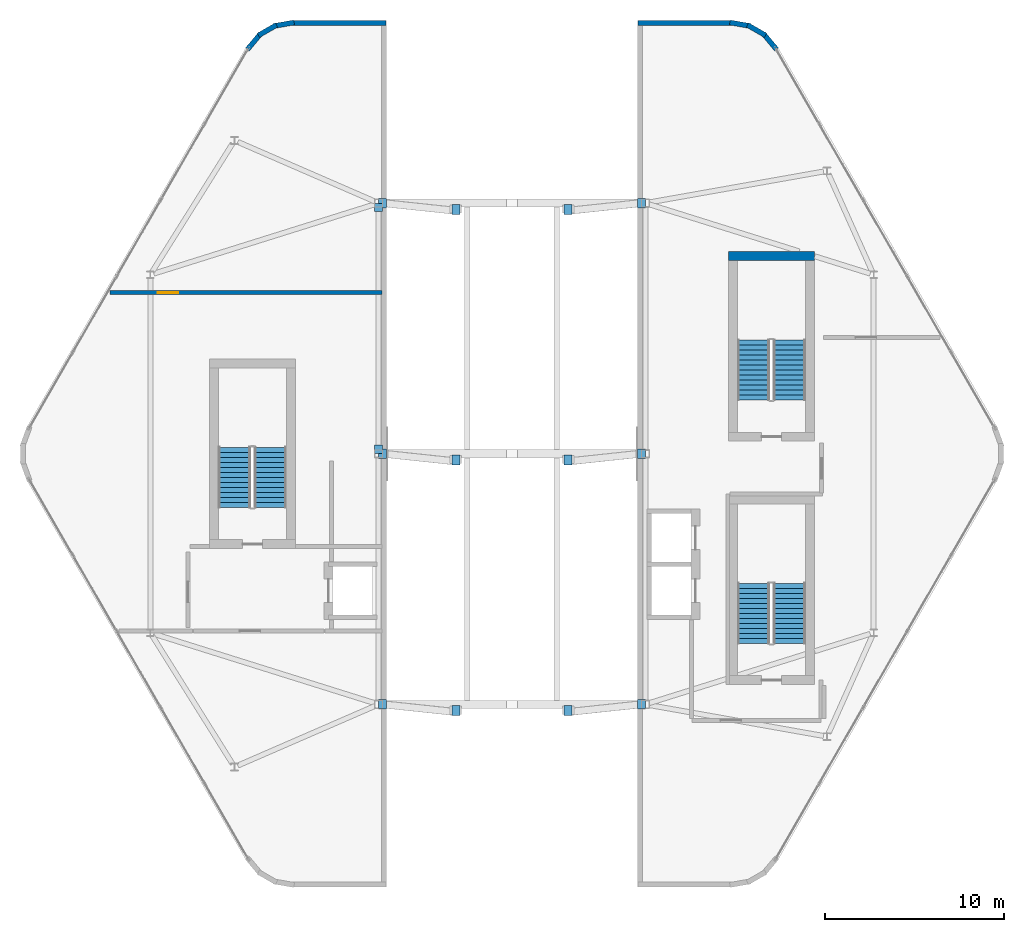
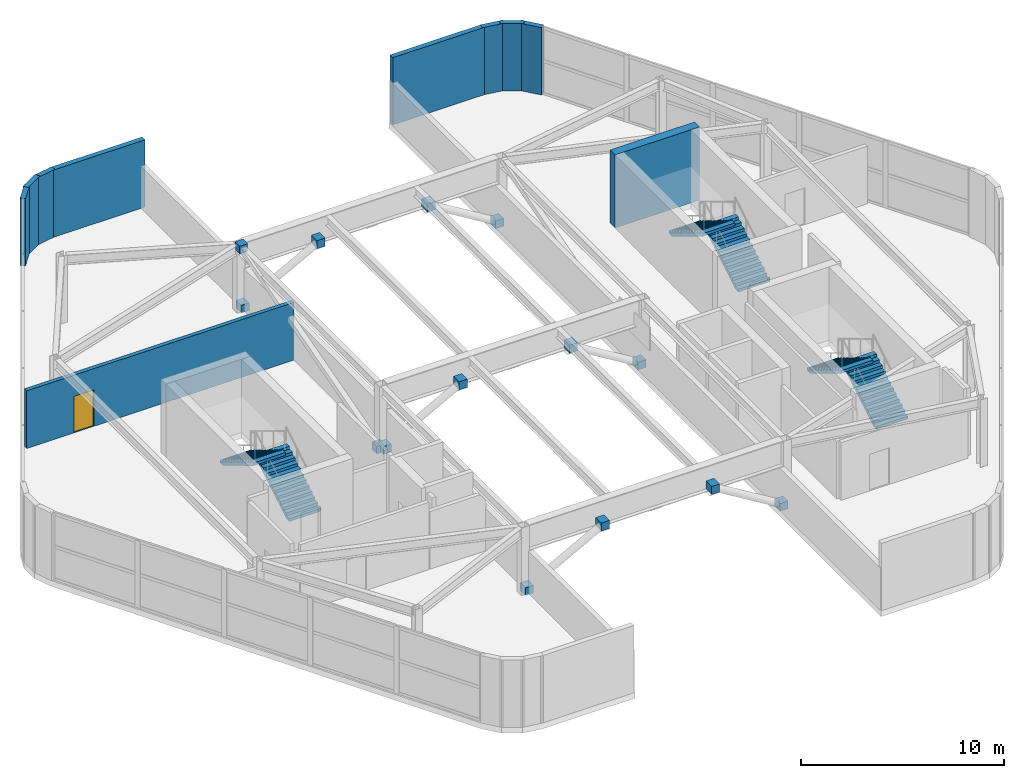
# One storey, part 15 of 16: 14 discrete accessories, 10 walls, 6 stair flights, 1 door, 1 opening, 3 elements without a shape of their own.
"""IFC4 building model written with IfcOpenShell, lengths in metres."""

from ifc_helpers import new_model, si_unit, direction, frame, frame_2d, origin, origin_2d, place, context, subcontext, project, spatial, polyline, rectangle, outline, extrude, material, layer, layer_set, type_object, element, fill, aggregate, save


model = new_model("IFC4")

# Units and contexts
model_context = context("Model", 3, precision=1e-05, world=origin(), true_north=direction((0.0, 1.0)))
body_context = subcontext(model_context, "Body", "Model", "MODEL_VIEW")
ifc_project = project(units=[si_unit("LENGTHUNIT", "METRE"), si_unit("AREAUNIT", "SQUARE_METRE"), si_unit("VOLUMEUNIT", "CUBIC_METRE"), si_unit("PLANEANGLEUNIT", "RADIAN"), si_unit("MASSUNIT", "GRAM", prefix="KILO")], contexts=[model_context])

# Site, building, storey
site_placement = place(None, origin())
site = spatial("IfcSite", under=ifc_project, at=site_placement, CompositionType="ELEMENT")
building_placement = place(site_placement, origin())
building = spatial("IfcBuilding", under=site, at=building_placement, Name="Zuhravey Tower", CompositionType="ELEMENT")
storey_placement = place(building_placement, frame((0.0, 0.0, 374.60009765625)))
storey = spatial("IfcBuildingStorey", under=building, at=storey_placement, Name="L95", CompositionType="ELEMENT", Elevation=374.60009765625)

# Walls
ifc_material_1 = material(Name="Concrete C50/60", Category="concrete")
ifc_layer_1 = layer(ifc_material_1, 0.5)
ifc_layer_set_1 = layer_set([ifc_layer_1], Name="Concrete C50/60")
wall_type_1 = type_object("IfcWallType", Name="Core Shear Wall 500", PredefinedType="SHEAR", material=ifc_layer_set_1)
wall_1_placement = place(storey_placement, frame((52.89990234375, 43.050048828125, 0.0), z_axis=(0.0, 0.0, 1.0), x_axis=(-1.0, 0.0, 0.0)))
element("IfcWall", 1, at=wall_1_placement, inside=storey, type_object=wall_type_1, Name="L95 CST3 North Shaft Wall", PredefinedType="SHEAR", context=body_context, shape_type="SweptSolid", body=[
    extrude(rectangle(XDim=4.7998046875, YDim=0.5, at=frame_2d((2.39990234375, 0.0))), origin(), (0.0, 0.0, 1.0), 4.39990234375),
])
ifc_material_2 = material(Name="Precast concrete C40/50", Category="concrete")
ifc_layer_2 = layer(ifc_material_2, 0.280029296875)
ifc_layer_set_2 = layer_set([ifc_layer_2], Name="Precast concrete C40/50")
wall_type_2 = type_object("IfcWallType", Name="Crown Architectural Wall 280", PredefinedType="SOLIDWALL", material=ifc_layer_set_2)
wall_2_placement = place(storey_placement, frame((21.222412109375, 54.585693359375, 0.0), z_axis=(0.0, 0.0, 1.0), x_axis=(0.642851701012, 0.765990659542, 0.0)))
element("IfcWall", 2, at=wall_2_placement, inside=storey, type_object=wall_type_2, Name="L95 WEST Crest Wall EW28-09", PredefinedType="SOLIDWALL", context=body_context, shape_type="SweptSolid", body=[
    extrude(rectangle(XDim=1.177734375, YDim=0.280029296875, at=frame_2d((0.5888671875, 0.0))), origin(), (0.0, 0.0, 1.0), 4.0498046875),
])
wall_3_placement = place(storey_placement, frame((21.836181640625, 55.367431640625, 0.0), z_axis=(0.0, 0.0, 1.0), x_axis=(0.865951785477, 0.500127488975, 0.0)))
element("IfcWall", 3, at=wall_3_placement, inside=storey, type_object=wall_type_2, Name="L95 WEST Crest Wall EW28-10", PredefinedType="SOLIDWALL", context=body_context, shape_type="SweptSolid", body=[
    extrude(rectangle(XDim=1.165283203125, YDim=0.280029296875, at=frame_2d((0.58251953125, 0.0))), origin(), (0.0, 0.0, 1.0), 4.0498046875),
])
wall_4_placement = place(storey_placement, frame((22.669189453125, 55.885986328125, 0.0), z_axis=(0.0, 0.0, 1.0), x_axis=(0.984798162481, 0.173702559495, 0.0)))
element("IfcWall", 4, at=wall_4_placement, inside=storey, type_object=wall_type_2, Name="L95 WEST Crest Wall EW28-11", PredefinedType="SOLIDWALL", context=body_context, shape_type="SweptSolid", body=[
    extrude(rectangle(XDim=1.177734375, YDim=0.280029296875, at=frame_2d((0.5888671875, 0.0))), origin(), (0.0, 0.0, 1.0), 4.0498046875),
])
wall_5_placement = place(storey_placement, frame((23.640380859375, 56.07421875, 0.0), z_axis=(0.0, 0.0, 1.0), x_axis=(1.0, 0.0, 0.0)))
element("IfcWall", 5, at=wall_5_placement, inside=storey, type_object=wall_type_2, Name="L95 WEST Crest Wall EW28-12", PredefinedType="SOLIDWALL", context=body_context, shape_type="SweptSolid", body=[
    extrude(rectangle(XDim=5.314697265625, YDim=0.280029296875, at=frame_2d((2.6572265625, 0.0))), origin(), (0.0, 0.0, 1.0), 4.0498046875),
])
wall_6_placement = place(storey_placement, frame((48.1708984375, 56.090576171875, 0.0), z_axis=(0.0, 0.0, 1.0), x_axis=(0.984798162481, -0.173702559495, 0.0)))
element("IfcWall", 6, at=wall_6_placement, inside=storey, type_object=wall_type_2, Name="L95 EAST Crest Wall EW28-01", PredefinedType="SOLIDWALL", context=body_context, shape_type="SweptSolid", body=[
    extrude(rectangle(XDim=1.177734375, YDim=0.280029296875, at=frame_2d((0.5888671875, 0.0))), origin(), (0.0, 0.0, 1.0), 4.0498046875),
])
wall_7_placement = place(storey_placement, frame((49.15478515625, 55.9501953125, 0.0), z_axis=(0.0, 0.0, 1.0), x_axis=(0.865951785477, -0.500127488975, 0.0)))
element("IfcWall", 7, at=wall_7_placement, inside=storey, type_object=wall_type_2, Name="L95 EAST Crest Wall EW28-02", PredefinedType="SOLIDWALL", context=body_context, shape_type="SweptSolid", body=[
    extrude(rectangle(XDim=1.165283203125, YDim=0.280029296875, at=frame_2d((0.58251953125, 0.0))), origin(), (0.0, 0.0, 1.0), 4.0498046875),
])
wall_8_placement = place(storey_placement, frame((50.0205078125, 55.48779296875, 0.0), z_axis=(0.0, 0.0, 1.0), x_axis=(0.642851701012, -0.765990659542, 0.0)))
element("IfcWall", 8, at=wall_8_placement, inside=storey, type_object=wall_type_2, Name="L95 EAST Crest Wall EW28-03", PredefinedType="SOLIDWALL", context=body_context, shape_type="SweptSolid", body=[
    extrude(rectangle(XDim=1.177734375, YDim=0.280029296875, at=frame_2d((0.5888671875, 0.0))), origin(), (0.0, 0.0, 1.0), 4.0498046875),
])
wall_9_placement = place(storey_placement, frame((43.044921875, 56.07421875, 0.0), z_axis=(0.0, 0.0, 1.0), x_axis=(1.0, 0.0, 0.0)))
element("IfcWall", 9, at=wall_9_placement, inside=storey, type_object=wall_type_2, Name="L95 EAST Crest Wall EW28-14", PredefinedType="SOLIDWALL", context=body_context, shape_type="SweptSolid", body=[
    extrude(rectangle(XDim=5.314697265625, YDim=0.280029296875, at=frame_2d((2.6572265625, 0.0))), origin(), (0.0, 0.0, 1.0), 4.0498046875),
])

# Wall, opening, door
ifc_material_3 = material(Name="Gypsum acoustic stud assembly")
ifc_layer_3 = layer(ifc_material_3, 0.219970703125)
ifc_layer_set_3 = layer_set([ifc_layer_3], Name="Gypsum acoustic stud assembly")
wall_type_3 = type_object("IfcWallType", Name="School Acoustic Compartment Wall 220", PredefinedType="PARTITIONING", material=ifc_layer_set_3)
wall_10_placement = place(storey_placement, frame((13.536376953125, 41.0, 0.0), z_axis=(0.0, 0.0, 1.0), x_axis=(1.0, 0.0, 0.0)))
wall_10 = element("IfcWall", 10, at=wall_10_placement, inside=storey, type_object=wall_type_3, Name="L95 IW22 Partition 008", PredefinedType="PARTITIONING", context=body_context, shape_type="SweptSolid", body=[
    extrude(rectangle(XDim=15.20361328125, YDim=0.219970703125, at=frame_2d((7.601806640625, 0.0))), origin(), (0.0, 0.0, 1.0), 3.469970703125),
])
opening_placement = place(wall_10_placement, frame((2.68359375, 0.0, 0.0)))
opening = element("IfcOpeningElement", 11, at=opening_placement, cuts=wall_10, Name="Opening CLD1", PredefinedType="OPENING", context=body_context, shape_type="SweptSolid", body=[
    extrude(rectangle(XDim=1.14990234375, YDim=2.199951171875, at=frame_2d((0.574951171875, 1.10009765625))), frame((0.0, 0.1220703125, 0.0), z_axis=(0.0, -1.0, 0.0), x_axis=(1.0, 0.0, 0.0)), (0.0, 0.0, 1.0), 0.243896484375),
])
ifc_material_4 = material(Name="Acoustic timber leaf with vision lite", Category="wood")
door_type = type_object("IfcDoorType", Name="Classroom Acoustic Door 1150x2200", OperationType="NOTDEFINED", PredefinedType="DOOR", material=ifc_material_4)
door_placement = place(opening_placement, origin())
door = element("IfcDoor", 12, at=door_placement, inside=storey, type_object=door_type, Name="L95 North Damper Plant Door", OperationType="SINGLE_SWING_RIGHT", OverallHeight=2.199951171875, OverallWidth=1.14990234375, PredefinedType="DOOR", context=body_context, shape_type="SweptSolid", body=[
    extrude(rectangle(XDim=1.14990234375, YDim=2.199951171875, at=frame_2d((0.574951171875, 1.10009765625))), frame((0.0, 0.02490234375, 0.0), z_axis=(0.0, -1.0, 0.0), x_axis=(1.0, 0.0, 0.0)), (0.0, 0.0, 1.0), 0.050048828125),
])
fill(opening, door)

# Stair, stair flights
ifc_material_5 = material(Name="Concrete C40/50", Category="concrete")
stair_type = type_object("IfcStairType", Name="Crown Storey Stair Assembly 4400", PredefinedType="HALF_TURN_STAIR", material=ifc_material_5)
stair_1_placement = place(storey_placement, origin())
stair_1 = element("IfcStair", 13, at=stair_1_placement, inside=storey, type_object=stair_type, Name="L95 West Crest Stair CST1", PredefinedType="HALF_TURN_STAIR")
stair_flight_type = type_object("IfcStairFlightType", Name="Crown Storey Stair Flight 4400", PredefinedType="STRAIGHT", material=ifc_material_5)
stair_flight_1_placement = place(storey_placement, frame((22.5, 29.0, 0.0), z_axis=(0.0, 0.0, 1.0), x_axis=(0.0, 1.0, 0.0)))
stair_flight_1 = element("IfcStairFlight", 14, at=stair_flight_1_placement, type_object=stair_flight_type, Name="CST1 flight 1", NumberOfRisers=13, NumberOfTreads=12, PredefinedType="STRAIGHT", RiserHeight=0.169230769, TreadLength=0.28, context=body_context, shape_type="SweptSolid", body=[
    extrude(outline(polyline([(0.0, 0.0), (0.0, 0.169189453125), (0.280029296875, 0.169189453125), (0.280029296875, 0.33837890625), (0.56005859375, 0.33837890625), (0.56005859375, 0.5078125), (0.840087890625, 0.5078125), (0.840087890625, 0.677001953125), (1.1201171875, 0.677001953125), (1.1201171875, 0.84619140625), (1.39990234375, 0.84619140625), (1.39990234375, 1.015380859375), (1.679931640625, 1.015380859375), (1.679931640625, 1.1845703125), (1.9599609375, 1.1845703125), (1.9599609375, 1.353759765625), (2.239990234375, 1.353759765625), (2.239990234375, 1.523193359375), (2.52001953125, 1.523193359375), (2.52001953125, 1.6923828125), (2.800048828125, 1.6923828125), (2.800048828125, 1.861572265625), (3.080078125, 1.861572265625), (3.080078125, 2.03076171875), (3.360107421875, 2.03076171875), (3.360107421875, 2.199951171875), (3.360107421875, 1.855712890625), (0.289794921875, 0.0), (0.0, 0.0)])), frame((0.0, 0.89990234375, 0.0), z_axis=(0.0, -1.0, 0.0), x_axis=(1.0, 0.0, 0.0)), (0.0, 0.0, 1.0), 1.800048828125),
])
stair_flight_2_placement = place(storey_placement, frame((20.5, 32.360107421875, 2.199951171875), z_axis=(0.0, 0.0, 1.0), x_axis=(0.0, -1.0, 0.0)))
stair_flight_2 = element("IfcStairFlight", 15, at=stair_flight_2_placement, type_object=stair_flight_type, Name="CST1 flight 2", NumberOfRisers=13, NumberOfTreads=12, PredefinedType="STRAIGHT", RiserHeight=0.169230769, TreadLength=0.28, context=body_context, shape_type="SweptSolid", body=[
    extrude(outline(polyline([(0.0, 0.0), (0.0, 0.169189453125), (0.280029296875, 0.169189453125), (0.280029296875, 0.33837890625), (0.56005859375, 0.33837890625), (0.56005859375, 0.5078125), (0.840087890625, 0.5078125), (0.840087890625, 0.677001953125), (1.1201171875, 0.677001953125), (1.1201171875, 0.84619140625), (1.39990234375, 0.84619140625), (1.39990234375, 1.015380859375), (1.679931640625, 1.015380859375), (1.679931640625, 1.1845703125), (1.9599609375, 1.1845703125), (1.9599609375, 1.353759765625), (2.239990234375, 1.353759765625), (2.239990234375, 1.523193359375), (2.52001953125, 1.523193359375), (2.52001953125, 1.6923828125), (2.800048828125, 1.6923828125), (2.800048828125, 1.861572265625), (3.080078125, 1.861572265625), (3.080078125, 2.03076171875), (3.360107421875, 2.03076171875), (3.360107421875, 2.199951171875), (3.360107421875, 1.855712890625), (0.289794921875, 0.0), (0.0, 0.0)])), frame((0.0, 0.89990234375, 0.0), z_axis=(0.0, -1.0, 0.0), x_axis=(1.0, 0.0, 0.0)), (0.0, 0.0, 1.0), 1.800048828125),
])
aggregate(stair_1, [stair_flight_1, stair_flight_2])

stair_2_placement = place(storey_placement, origin())
stair_2 = element("IfcStair", 16, at=stair_2_placement, inside=storey, type_object=stair_type, Name="L95 East Crest South Stair CST2", PredefinedType="HALF_TURN_STAIR")
stair_flight_3_placement = place(storey_placement, frame((51.5, 21.39990234375, 0.0), z_axis=(0.0, 0.0, 1.0), x_axis=(0.0, 1.0, 0.0)))
stair_flight_3 = element("IfcStairFlight", 17, at=stair_flight_3_placement, type_object=stair_flight_type, Name="CST2 flight 1", NumberOfRisers=13, NumberOfTreads=12, PredefinedType="STRAIGHT", RiserHeight=0.169230769, TreadLength=0.28, context=body_context, shape_type="SweptSolid", body=[
    extrude(outline(polyline([(0.0, 0.0), (0.0, 0.169189453125), (0.280029296875, 0.169189453125), (0.280029296875, 0.33837890625), (0.56005859375, 0.33837890625), (0.56005859375, 0.5078125), (0.840087890625, 0.5078125), (0.840087890625, 0.677001953125), (1.1201171875, 0.677001953125), (1.1201171875, 0.84619140625), (1.39990234375, 0.84619140625), (1.39990234375, 1.015380859375), (1.679931640625, 1.015380859375), (1.679931640625, 1.1845703125), (1.9599609375, 1.1845703125), (1.9599609375, 1.353759765625), (2.239990234375, 1.353759765625), (2.239990234375, 1.523193359375), (2.52001953125, 1.523193359375), (2.52001953125, 1.6923828125), (2.800048828125, 1.6923828125), (2.800048828125, 1.861572265625), (3.080078125, 1.861572265625), (3.080078125, 2.03076171875), (3.360107421875, 2.03076171875), (3.360107421875, 2.199951171875), (3.360107421875, 1.855712890625), (0.289794921875, 0.0), (0.0, 0.0)])), frame((0.0, 0.89990234375, 0.0), z_axis=(0.0, -1.0, 0.0), x_axis=(1.0, 0.0, 0.0)), (0.0, 0.0, 1.0), 1.800048828125),
])
stair_flight_4_placement = place(storey_placement, frame((49.5, 24.760009765625, 2.199951171875), z_axis=(0.0, 0.0, 1.0), x_axis=(0.0, -1.0, 0.0)))
stair_flight_4 = element("IfcStairFlight", 18, at=stair_flight_4_placement, type_object=stair_flight_type, Name="CST2 flight 2", NumberOfRisers=13, NumberOfTreads=12, PredefinedType="STRAIGHT", RiserHeight=0.169230769, TreadLength=0.28, context=body_context, shape_type="SweptSolid", body=[
    extrude(outline(polyline([(0.0, 0.0), (0.0, 0.169189453125), (0.280029296875, 0.169189453125), (0.280029296875, 0.33837890625), (0.56005859375, 0.33837890625), (0.56005859375, 0.5078125), (0.840087890625, 0.5078125), (0.840087890625, 0.677001953125), (1.1201171875, 0.677001953125), (1.1201171875, 0.84619140625), (1.39990234375, 0.84619140625), (1.39990234375, 1.015380859375), (1.679931640625, 1.015380859375), (1.679931640625, 1.1845703125), (1.9599609375, 1.1845703125), (1.9599609375, 1.353759765625), (2.239990234375, 1.353759765625), (2.239990234375, 1.523193359375), (2.52001953125, 1.523193359375), (2.52001953125, 1.6923828125), (2.800048828125, 1.6923828125), (2.800048828125, 1.861572265625), (3.080078125, 1.861572265625), (3.080078125, 2.03076171875), (3.360107421875, 2.03076171875), (3.360107421875, 2.199951171875), (3.360107421875, 1.855712890625), (0.289794921875, 0.0), (0.0, 0.0)])), frame((0.0, 0.89990234375, 0.0), z_axis=(0.0, -1.0, 0.0), x_axis=(1.0, 0.0, 0.0)), (0.0, 0.0, 1.0), 1.800048828125),
])
aggregate(stair_2, [stair_flight_3, stair_flight_4])

stair_3_placement = place(storey_placement, origin())
stair_3 = element("IfcStair", 19, at=stair_3_placement, inside=storey, type_object=stair_type, Name="L95 East Crest North Stair CST3", PredefinedType="HALF_TURN_STAIR")
stair_flight_5_placement = place(storey_placement, frame((51.5, 35.0, 0.0), z_axis=(0.0, 0.0, 1.0), x_axis=(0.0, 1.0, 0.0)))
stair_flight_5 = element("IfcStairFlight", 20, at=stair_flight_5_placement, type_object=stair_flight_type, Name="CST3 flight 1", NumberOfRisers=13, NumberOfTreads=12, PredefinedType="STRAIGHT", RiserHeight=0.169230769, TreadLength=0.28, context=body_context, shape_type="SweptSolid", body=[
    extrude(outline(polyline([(0.0, 0.0), (0.0, 0.169189453125), (0.280029296875, 0.169189453125), (0.280029296875, 0.33837890625), (0.56005859375, 0.33837890625), (0.56005859375, 0.5078125), (0.840087890625, 0.5078125), (0.840087890625, 0.677001953125), (1.1201171875, 0.677001953125), (1.1201171875, 0.84619140625), (1.39990234375, 0.84619140625), (1.39990234375, 1.015380859375), (1.679931640625, 1.015380859375), (1.679931640625, 1.1845703125), (1.9599609375, 1.1845703125), (1.9599609375, 1.353759765625), (2.239990234375, 1.353759765625), (2.239990234375, 1.523193359375), (2.52001953125, 1.523193359375), (2.52001953125, 1.6923828125), (2.800048828125, 1.6923828125), (2.800048828125, 1.861572265625), (3.080078125, 1.861572265625), (3.080078125, 2.03076171875), (3.360107421875, 2.03076171875), (3.360107421875, 2.199951171875), (3.360107421875, 1.855712890625), (0.289794921875, 0.0), (0.0, 0.0)])), frame((0.0, 0.89990234375, 0.0), z_axis=(0.0, -1.0, 0.0), x_axis=(1.0, 0.0, 0.0)), (0.0, 0.0, 1.0), 1.800048828125),
])
stair_flight_6_placement = place(storey_placement, frame((49.5, 38.360107421875, 2.199951171875), z_axis=(0.0, 0.0, 1.0), x_axis=(0.0, -1.0, 0.0)))
stair_flight_6 = element("IfcStairFlight", 21, at=stair_flight_6_placement, type_object=stair_flight_type, Name="CST3 flight 2", NumberOfRisers=13, NumberOfTreads=12, PredefinedType="STRAIGHT", RiserHeight=0.169230769, TreadLength=0.28, context=body_context, shape_type="SweptSolid", body=[
    extrude(outline(polyline([(0.0, 0.0), (0.0, 0.169189453125), (0.280029296875, 0.169189453125), (0.280029296875, 0.33837890625), (0.56005859375, 0.33837890625), (0.56005859375, 0.5078125), (0.840087890625, 0.5078125), (0.840087890625, 0.677001953125), (1.1201171875, 0.677001953125), (1.1201171875, 0.84619140625), (1.39990234375, 0.84619140625), (1.39990234375, 1.015380859375), (1.679931640625, 1.015380859375), (1.679931640625, 1.1845703125), (1.9599609375, 1.1845703125), (1.9599609375, 1.353759765625), (2.239990234375, 1.353759765625), (2.239990234375, 1.523193359375), (2.52001953125, 1.523193359375), (2.52001953125, 1.6923828125), (2.800048828125, 1.6923828125), (2.800048828125, 1.861572265625), (3.080078125, 1.861572265625), (3.080078125, 2.03076171875), (3.360107421875, 2.03076171875), (3.360107421875, 2.199951171875), (3.360107421875, 1.855712890625), (0.289794921875, 0.0), (0.0, 0.0)])), frame((0.0, 0.89990234375, 0.0), z_axis=(0.0, -1.0, 0.0), x_axis=(1.0, 0.0, 0.0)), (0.0, 0.0, 1.0), 1.800048828125),
])
aggregate(stair_3, [stair_flight_5, stair_flight_6])

# Discrete accessories
ifc_material_6 = material(Name="Steel SM355", Category="steel")
discrete_accessory_type = type_object("IfcDiscreteAccessoryType", Name="Exoskeleton Support Bracket", PredefinedType="BRACKET", material=ifc_material_6)
for number, where, z_axis, x_axis, name in (
    (22, (28.550048828125, 32.249267578125, -0.12451171875), (0.0, 0.0, 1.0), (1.0, 0.0, 0.0), "L95 WCFS1 End Shoe BRK1-FT"),
    (23, (28.550048828125, 45.750732421875, 3.71435546875), (0.0, 0.0, 1.0), (1.0, 0.0, 0.0), "L95 WCFS1 End Shoe BRK1-HD"),
):
    element("IfcDiscreteAccessory", number, at=place(storey_placement, frame(where, z_axis=z_axis, x_axis=x_axis)), inside=storey, type_object=discrete_accessory_type, Name=name, PredefinedType="BRACKET", context=body_context, shape_type="SweptSolid", body=[
        extrude(rectangle(XDim=0.4599609375, YDim=0.4599609375, at=origin_2d()), origin(), (0.0, 0.0, 1.0), 0.4599609375),
    ])
discrete_accessory_1_placement = place(storey_placement, frame((28.763916015625, 17.999755859375, -0.049072265625), z_axis=(0.0, 0.0, 1.0), x_axis=(1.0, 0.0, 0.0)))
element("IfcDiscreteAccessory", 24, at=discrete_accessory_1_placement, inside=storey, type_object=discrete_accessory_type, Name="L95 Wind-Portal Arch Foot Shoe BRK1-1W", PredefinedType="BRACKET", context=body_context, shape_type="SweptSolid", body=[
    extrude(rectangle(XDim=0.4599609375, YDim=0.52001953125, at=origin_2d()), origin(), (0.0, 0.0, 1.0), 0.4599609375),
])
discrete_accessory_2_placement = place(storey_placement, frame((32.864990234375, 17.647216796875, 2.618896484375), z_axis=(0.0, 0.0, 1.0), x_axis=(1.0, 0.0, 0.0)))
element("IfcDiscreteAccessory", 25, at=discrete_accessory_2_placement, inside=storey, type_object=discrete_accessory_type, Name="L95 Wind-Portal Arch Head Shoe BRK1-1W", PredefinedType="BRACKET", context=body_context, shape_type="SweptSolid", body=[
    extrude(rectangle(XDim=0.4599609375, YDim=0.56005859375, at=origin_2d()), origin(), (0.0, 0.0, 1.0), 0.47998046875),
])
discrete_accessory_3_placement = place(storey_placement, frame((43.236083984375, 17.999755859375, -0.049072265625), z_axis=(0.0, 0.0, 1.0), x_axis=(1.0, 0.0, 0.0)))
element("IfcDiscreteAccessory", 26, at=discrete_accessory_3_placement, inside=storey, type_object=discrete_accessory_type, Name="L95 Wind-Portal Arch Foot Shoe BRK1-1E", PredefinedType="BRACKET", context=body_context, shape_type="SweptSolid", body=[
    extrude(rectangle(XDim=0.4599609375, YDim=0.52001953125, at=origin_2d()), origin(), (0.0, 0.0, 1.0), 0.4599609375),
])
discrete_accessory_4_placement = place(storey_placement, frame((39.135009765625, 17.647216796875, 2.618896484375), z_axis=(0.0, 0.0, 1.0), x_axis=(1.0, 0.0, 0.0)))
element("IfcDiscreteAccessory", 27, at=discrete_accessory_4_placement, inside=storey, type_object=discrete_accessory_type, Name="L95 Wind-Portal Arch Head Shoe BRK1-1E", PredefinedType="BRACKET", context=body_context, shape_type="SweptSolid", body=[
    extrude(rectangle(XDim=0.4599609375, YDim=0.56005859375, at=origin_2d()), origin(), (0.0, 0.0, 1.0), 0.47998046875),
])
discrete_accessory_5_placement = place(storey_placement, frame((28.763916015625, 31.999755859375, -0.049072265625), z_axis=(0.0, 0.0, 1.0), x_axis=(1.0, 0.0, 0.0)))
element("IfcDiscreteAccessory", 28, at=discrete_accessory_5_placement, inside=storey, type_object=discrete_accessory_type, Name="L95 Wind-Portal Arch Foot Shoe BRK1-2W", PredefinedType="BRACKET", context=body_context, shape_type="SweptSolid", body=[
    extrude(rectangle(XDim=0.4599609375, YDim=0.52001953125, at=origin_2d()), origin(), (0.0, 0.0, 1.0), 0.4599609375),
])
discrete_accessory_6_placement = place(storey_placement, frame((32.864990234375, 31.647216796875, 2.618896484375), z_axis=(0.0, 0.0, 1.0), x_axis=(1.0, 0.0, 0.0)))
element("IfcDiscreteAccessory", 29, at=discrete_accessory_6_placement, inside=storey, type_object=discrete_accessory_type, Name="L95 Wind-Portal Arch Head Shoe BRK1-2W", PredefinedType="BRACKET", context=body_context, shape_type="SweptSolid", body=[
    extrude(rectangle(XDim=0.4599609375, YDim=0.56005859375, at=origin_2d()), origin(), (0.0, 0.0, 1.0), 0.47998046875),
])
discrete_accessory_7_placement = place(storey_placement, frame((43.236083984375, 31.999755859375, -0.049072265625), z_axis=(0.0, 0.0, 1.0), x_axis=(1.0, 0.0, 0.0)))
element("IfcDiscreteAccessory", 30, at=discrete_accessory_7_placement, inside=storey, type_object=discrete_accessory_type, Name="L95 Wind-Portal Arch Foot Shoe BRK1-2E", PredefinedType="BRACKET", context=body_context, shape_type="SweptSolid", body=[
    extrude(rectangle(XDim=0.4599609375, YDim=0.52001953125, at=origin_2d()), origin(), (0.0, 0.0, 1.0), 0.4599609375),
])
discrete_accessory_8_placement = place(storey_placement, frame((39.135009765625, 31.647216796875, 2.618896484375), z_axis=(0.0, 0.0, 1.0), x_axis=(1.0, 0.0, 0.0)))
element("IfcDiscreteAccessory", 31, at=discrete_accessory_8_placement, inside=storey, type_object=discrete_accessory_type, Name="L95 Wind-Portal Arch Head Shoe BRK1-2E", PredefinedType="BRACKET", context=body_context, shape_type="SweptSolid", body=[
    extrude(rectangle(XDim=0.4599609375, YDim=0.56005859375, at=origin_2d()), origin(), (0.0, 0.0, 1.0), 0.47998046875),
])
discrete_accessory_9_placement = place(storey_placement, frame((28.763916015625, 45.999755859375, -0.049072265625), z_axis=(0.0, 0.0, 1.0), x_axis=(1.0, 0.0, 0.0)))
element("IfcDiscreteAccessory", 32, at=discrete_accessory_9_placement, inside=storey, type_object=discrete_accessory_type, Name="L95 Wind-Portal Arch Foot Shoe BRK1-3W", PredefinedType="BRACKET", context=body_context, shape_type="SweptSolid", body=[
    extrude(rectangle(XDim=0.4599609375, YDim=0.52001953125, at=origin_2d()), origin(), (0.0, 0.0, 1.0), 0.4599609375),
])
discrete_accessory_10_placement = place(storey_placement, frame((32.864990234375, 45.647216796875, 2.618896484375), z_axis=(0.0, 0.0, 1.0), x_axis=(1.0, 0.0, 0.0)))
element("IfcDiscreteAccessory", 33, at=discrete_accessory_10_placement, inside=storey, type_object=discrete_accessory_type, Name="L95 Wind-Portal Arch Head Shoe BRK1-3W", PredefinedType="BRACKET", context=body_context, shape_type="SweptSolid", body=[
    extrude(rectangle(XDim=0.4599609375, YDim=0.56005859375, at=origin_2d()), origin(), (0.0, 0.0, 1.0), 0.47998046875),
])
discrete_accessory_11_placement = place(storey_placement, frame((43.236083984375, 45.999755859375, -0.049072265625), z_axis=(0.0, 0.0, 1.0), x_axis=(1.0, 0.0, 0.0)))
element("IfcDiscreteAccessory", 34, at=discrete_accessory_11_placement, inside=storey, type_object=discrete_accessory_type, Name="L95 Wind-Portal Arch Foot Shoe BRK1-3E", PredefinedType="BRACKET", context=body_context, shape_type="SweptSolid", body=[
    extrude(rectangle(XDim=0.4599609375, YDim=0.52001953125, at=origin_2d()), origin(), (0.0, 0.0, 1.0), 0.4599609375),
])
discrete_accessory_12_placement = place(storey_placement, frame((39.135009765625, 45.647216796875, 2.618896484375), z_axis=(0.0, 0.0, 1.0), x_axis=(1.0, 0.0, 0.0)))
element("IfcDiscreteAccessory", 35, at=discrete_accessory_12_placement, inside=storey, type_object=discrete_accessory_type, Name="L95 Wind-Portal Arch Head Shoe BRK1-3E", PredefinedType="BRACKET", context=body_context, shape_type="SweptSolid", body=[
    extrude(rectangle(XDim=0.4599609375, YDim=0.56005859375, at=origin_2d()), origin(), (0.0, 0.0, 1.0), 0.47998046875),
])

save(model, "model.ifc")
